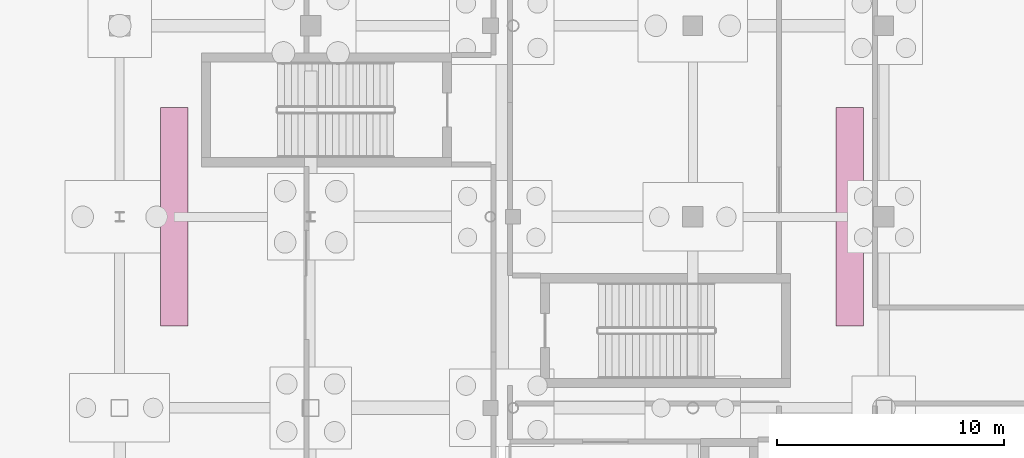
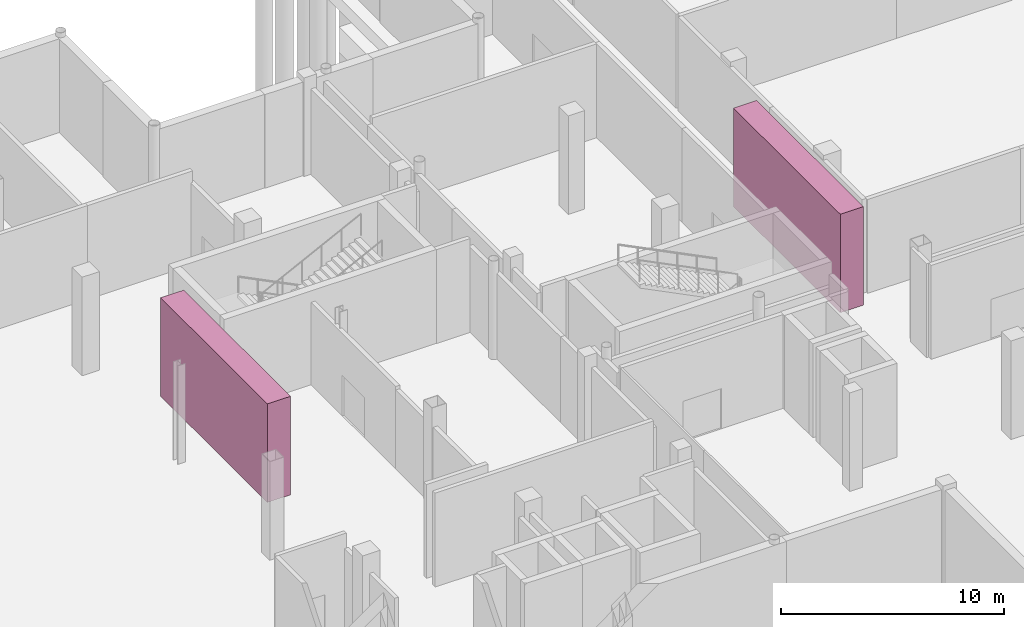
# One storey, part 49 of 49: 2 transport elements.
"""IFC4 building model written with IfcOpenShell, lengths in metres."""

from ifc_helpers import new_model, si_unit, direction, frame, origin, origin_2d, place, context, subcontext, project, spatial, rectangle, extrude, material, type_object, element, save


model = new_model("IFC4")

# Units and contexts
model_context = context("Model", 3, precision=1e-05, world=origin(), true_north=direction((0.0, 1.0)))
body_context = subcontext(model_context, "Body", "Model", "MODEL_VIEW")
ifc_project = project(units=[si_unit("LENGTHUNIT", "METRE"), si_unit("AREAUNIT", "SQUARE_METRE"), si_unit("VOLUMEUNIT", "CUBIC_METRE"), si_unit("PLANEANGLEUNIT", "RADIAN"), si_unit("MASSUNIT", "GRAM", prefix="KILO"), si_unit("THERMODYNAMICTEMPERATUREUNIT", "KELVIN")], contexts=[model_context])

# Site, building, storey
site_placement = place(None, origin())
site = spatial("IfcSite", under=ifc_project, at=site_placement, CompositionType="ELEMENT")
building_placement = place(site_placement, origin())
building = spatial("IfcBuilding", under=site, at=building_placement, Name="Lustrewick Department Store", CompositionType="ELEMENT")
storey_placement = place(building_placement, frame((0.0, 0.0, -5.39990234375)))
storey = spatial("IfcBuildingStorey", under=building, at=storey_placement, Name="B1", CompositionType="ELEMENT", Elevation=-5.39990234375)

# Transport elements
ifc_material = material(Name="Brushed stainless steel and safety glass escalator", Category="steel")
transport_element_type = type_object("IfcTransportElementType", Name="ESC-30", PredefinedType="ESCALATOR", material=ifc_material)
for number, where, z_axis, x_axis, name in (
    (1, (44.39990234375, 67.199951171875, 0.0), (0.0, 0.0, 1.0), (1.0, 0.0, 0.0), "B1 Reversible Escalator ESC-06"),
    (2, (74.10009765625, 67.199951171875, 0.0), (0.0, 0.0, 1.0), (1.0, 0.0, 0.0), "B1 Reversible Escalator ESC-10"),
):
    element("IfcTransportElement", number, at=place(storey_placement, frame(where, z_axis=z_axis, x_axis=x_axis)), inside=storey, type_object=transport_element_type, Name=name, PredefinedType="ESCALATOR", context=body_context, shape_type="SweptSolid", body=[
        extrude(rectangle(XDim=1.199951171875, YDim=9.60009765625, at=origin_2d()), origin(), (0.0, 0.0, 1.0), 5.39990234375),
    ])

save(model, "model.ifc")
